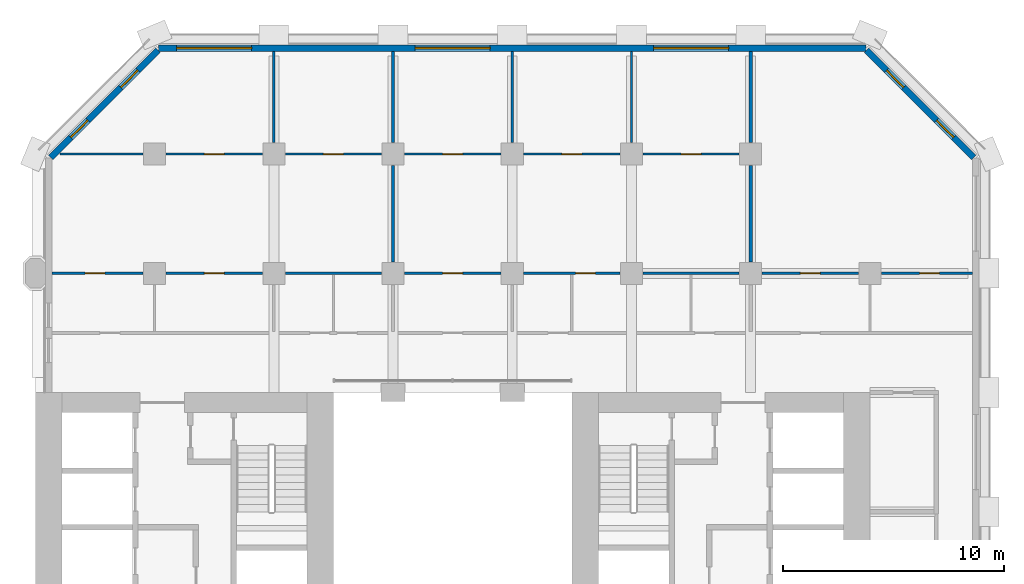
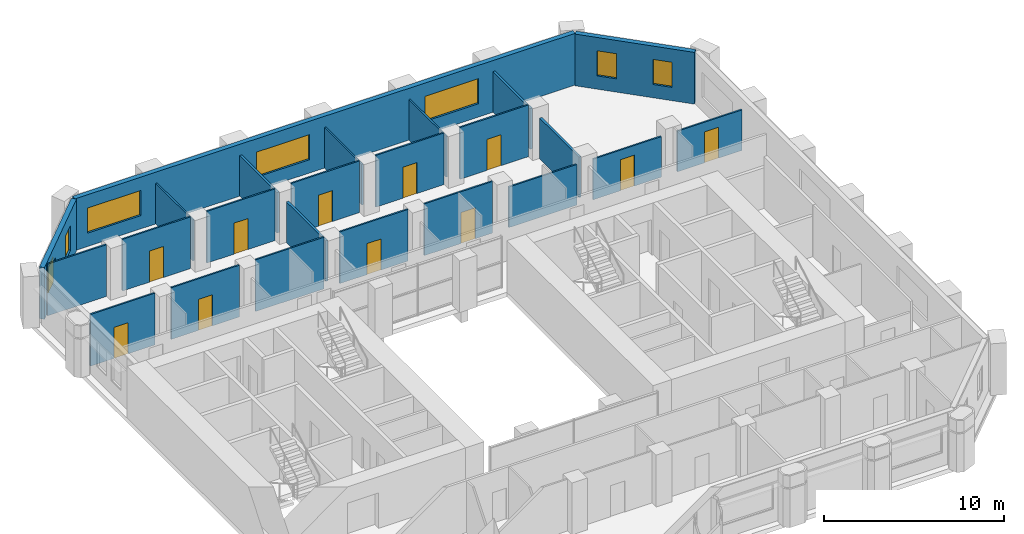
# One storey, part 7 of 11: 24 walls, 11 doors, 7 windows, 18 openings.
"""IFC4 building model written with IfcOpenShell, lengths in metres."""

import ifcopenshell
import ifcopenshell.guid

model = None  # the IFC model being written
_history = None  # IfcOwnerHistory: only IFC2X3 demands one
_inside = {}  # id of a spatial element -> (the spatial element, [elements in it])
_under = {}  # id of a project, library or spatial element -> (it, [spatial elements below it])
_declared = {}  # id of a project -> (the project, [libraries it declares])
_typed = {}  # id of a type object -> (the type object, [elements of that type])
_made_of = {}  # id of a material, layer set ... -> (it, [elements and type objects made of it])


def new_model(schema):
    """Start an empty IFC model of exactly this schema.

    Asked for "IFC4X3", IfcOpenShell would pick the latest addendum, in which some entities
    have other attributes; the version numbers below select the first issue.
    IFC2X3 requires an IfcOwnerHistory on every rooted entity: one is made here for all.
    """
    global model, _history
    if schema == "IFC4X3":
        model = ifcopenshell.file(schema_version=(4, 3, 0, 0))
    else:
        model = ifcopenshell.file(schema=schema)
    _inside.clear()
    _under.clear()
    _declared.clear()
    _typed.clear()
    _made_of.clear()
    _history = None
    if model.schema == "IFC2X3":
        org = make("IfcOrganization", Name="unknown")
        user = make(
            "IfcPersonAndOrganization",
            ThePerson=make("IfcPerson", FamilyName="unknown"),
            TheOrganization=org,
        )
        app = make(
            "IfcApplication",
            ApplicationDeveloper=org,
            Version="unknown",
            ApplicationFullName="unknown",
            ApplicationIdentifier="unknown",
        )
        _history = make(
            "IfcOwnerHistory",
            OwningUser=user,
            OwningApplication=app,
            ChangeAction="ADDED",
            CreationDate=0,
        )
    return model


def make(cls, **values):
    """One entity of the class cls with the attributes given. An attribute that is None is left unset."""
    return model.create_entity(
        cls, **{name: value for name, value in values.items() if value is not None}
    )


def rooted(cls, **values):
    """An entity with a GlobalId (a new one), such as an element, a storey or a relation."""
    return make(cls, GlobalId=ifcopenshell.guid.new(), OwnerHistory=_history, **values)


def si_unit(unit_type, name, prefix=None):
    """IfcSIUnit, for example si_unit("LENGTHUNIT", "METRE", prefix="MILLI")."""
    return make("IfcSIUnit", UnitType=unit_type, Prefix=prefix, Name=name)


def assignment(units):
    """IfcUnitAssignment: the units of a project."""
    return None if units is None else make("IfcUnitAssignment", Units=units)


def point(xyz):
    """IfcCartesianPoint."""
    return None if xyz is None else make("IfcCartesianPoint", Coordinates=xyz)


def direction(xyz):
    """IfcDirection."""
    return None if xyz is None else make("IfcDirection", DirectionRatios=xyz)


def frame(location, z_axis=None, x_axis=None):
    """IfcAxis2Placement3D, a coordinate frame: its origin and axes. An axis left out is left unset."""
    return make(
        "IfcAxis2Placement3D",
        Location=point(location),
        Axis=direction(z_axis),
        RefDirection=direction(x_axis),
    )


def frame_2d(location, x_axis=None):
    """IfcAxis2Placement2D, a coordinate frame in the plane: its origin and x axis."""
    return make(
        "IfcAxis2Placement2D", Location=point(location), RefDirection=direction(x_axis)
    )


def origin():
    """The frame at (0, 0, 0) with its axes left unset."""
    return frame((0.0, 0.0, 0.0))


def place(relative_to, where):
    """IfcLocalPlacement: puts the frame where relative to a parent placement (None: the world)."""
    return make(
        "IfcLocalPlacement", PlacementRelTo=relative_to, RelativePlacement=where
    )


def context(
    kind, dimensions, precision=None, world=None, true_north=None, identifier=None
):
    """IfcGeometricRepresentationContext, for example the 3D "Model" context."""
    return make(
        "IfcGeometricRepresentationContext",
        ContextIdentifier=identifier,
        ContextType=kind,
        CoordinateSpaceDimension=dimensions,
        Precision=precision,
        WorldCoordinateSystem=world,
        TrueNorth=true_north,
    )


def subcontext(parent, identifier, kind, view, scale=None):
    """IfcGeometricRepresentationSubContext, for example "Body" below "Model"."""
    return make(
        "IfcGeometricRepresentationSubContext",
        ContextIdentifier=identifier,
        ContextType=kind,
        ParentContext=parent,
        TargetScale=scale,
        TargetView=view,
    )


def project(units=None, contexts=None):
    """IfcProject with its units and contexts."""
    return rooted(
        "IfcProject",
        Name="project",
        RepresentationContexts=contexts,
        UnitsInContext=assignment(units),
    )


def spatial(cls, under=None, at=None, **own):
    """A site, building, storey or space (cls), placed at a placement, below another one or the project."""
    s = rooted(cls, ObjectPlacement=at, **own)
    if under is not None:
        _under.setdefault(under.id(), (under, []))[1].append(s)
    return s


def profile(cls, at=None, kind="AREA", **sizes):
    """A parametric profile (cls). Its sizes go by their IFC names, for example OverallWidth=200.0."""
    return make(cls, ProfileType=kind, Position=at, **sizes)


def rectangle(**sizes):
    """IfcRectangleProfileDef."""
    return profile("IfcRectangleProfileDef", **sizes)


def extrude(swept, where, along, depth):
    """IfcExtrudedAreaSolid: the profile swept, set in the frame where, extruded along a direction by depth."""
    return make(
        "IfcExtrudedAreaSolid",
        SweptArea=swept,
        Position=where,
        ExtrudedDirection=direction(along),
        Depth=depth,
    )


def shape(context_of_items, identifier, shape_type, items):
    """IfcShapeRepresentation: the items that make up one representation, for example the "Body"."""
    return make(
        "IfcShapeRepresentation",
        ContextOfItems=context_of_items,
        RepresentationIdentifier=identifier,
        RepresentationType=shape_type,
        Items=items,
    )


def material(Name=None, Category=None):
    """IfcMaterial."""
    return make("IfcMaterial", Name=Name, Category=Category)


def layer(
    of_material, thickness, ventilated=None, Name=None, Category=None, Priority=None
):
    """IfcMaterialLayer: one layer of a wall or slab, of a material (None: an air gap)."""
    return make(
        "IfcMaterialLayer",
        Material=of_material,
        LayerThickness=thickness,
        IsVentilated=ventilated,
        Name=Name,
        Category=Category,
        Priority=Priority,
    )


def layer_set(layers, Name=None):
    """IfcMaterialLayerSet."""
    return make("IfcMaterialLayerSet", MaterialLayers=layers, LayerSetName=Name)


def made_of(thing, what):
    """Note that an element or type object is made of a material, layer set ...; save() writes the relation."""
    if what is not None:
        _made_of.setdefault(what.id(), (what, []))[1].append(thing)
    return thing


def type_object(cls, material=None, **own):
    """A type object (cls), such as IfcWallType, which elements share."""
    return made_of(rooted(cls, **own), material)


def element(
    cls,
    number,
    at=None,
    inside=None,
    cuts=None,
    type_object=None,
    material=None,
    context=None,
    identifier="Body",
    shape_type=None,
    held_by="IfcProductDefinitionShape",
    body=None,
    shapes=None,
    **own,
):
    """One element of the class cls, such as IfcWall. Its Tag is "e" and its number.

    at: its placement. inside: the storey or other place that contains it. cuts: it is an
    opening in that element (IfcRelVoidsElement). A single representation is given by context,
    identifier, shape_type and body (its items); several are given by shapes. held_by: the class
    of the entity that holds the representations. save() writes the other relations.
    """
    e = rooted(cls, Tag="e%d" % number, ObjectPlacement=at, **own)
    if body is not None:
        shapes = [shape(context, identifier, shape_type, body)]
    if shapes is not None:
        e.Representation = make(held_by, Representations=shapes)
    if inside is not None:
        _inside.setdefault(inside.id(), (inside, []))[1].append(e)
    if cuts is not None:
        rooted(
            "IfcRelVoidsElement", RelatingBuildingElement=cuts, RelatedOpeningElement=e
        )
    if type_object is not None:
        _typed.setdefault(type_object.id(), (type_object, []))[1].append(e)
    return made_of(e, material)


def fill(opening, filler):
    """IfcRelFillsElement: the door or window that sits in an opening."""
    return rooted(
        "IfcRelFillsElement",
        RelatingOpeningElement=opening,
        RelatedBuildingElement=filler,
    )


def aggregate(whole, parts):
    """IfcRelAggregates: a whole, such as a stair, and the parts it consists of."""
    return rooted("IfcRelAggregates", RelatingObject=whole, RelatedObjects=parts)


def save(model, path):
    """Write the relations noted so far, then the file.

    IfcRelAggregates (storeys below a building ...), IfcRelContainedInSpatialStructure (elements
    in a storey), IfcRelDefinesByType, IfcRelAssociatesMaterial and IfcRelDeclares: one each for
    every whole, place, type object, material and project.
    """
    for whole, parts in _under.values():
        aggregate(whole, parts)
    for where, things in _inside.values():
        rooted(
            "IfcRelContainedInSpatialStructure",
            RelatedElements=things,
            RelatingStructure=where,
        )
    for kind, things in _typed.values():
        rooted("IfcRelDefinesByType", RelatedObjects=things, RelatingType=kind)
    for what, things in _made_of.values():
        rooted("IfcRelAssociatesMaterial", RelatedObjects=things, RelatingMaterial=what)
    for by, libraries in _declared.values():
        rooted("IfcRelDeclares", RelatingContext=by, RelatedDefinitions=libraries)
    model.write(path)


model = new_model("IFC4")

# Units and contexts
model_context = context("Model", 3, precision=1e-05, world=origin(), true_north=direction((0.0, 1.0)))
body_context = subcontext(model_context, "Body", "Model", "MODEL_VIEW")
ifc_project = project(units=[si_unit("LENGTHUNIT", "METRE"), si_unit("AREAUNIT", "SQUARE_METRE"), si_unit("VOLUMEUNIT", "CUBIC_METRE"), si_unit("PLANEANGLEUNIT", "RADIAN"), si_unit("MASSUNIT", "GRAM", prefix="KILO")], contexts=[model_context])

# Site, building, storey
site_placement = place(None, origin())
site = spatial("IfcSite", under=ifc_project, at=site_placement, CompositionType="ELEMENT")
building_placement = place(site_placement, origin())
building = spatial("IfcBuilding", under=site, at=building_placement, Name="Tabaq Tower and Sports Hall", CompositionType="ELEMENT")
storey_placement = place(building_placement, frame((0.0, 0.0, 84.0)))
storey = spatial("IfcBuildingStorey", under=building, at=storey_placement, Name="L19", CompositionType="ELEMENT", Elevation=84.0)

# Wall, opening, door
ifc_material_1 = material(Name="Gypsum board on steel studs", Category="steel")
ifc_layer_1 = layer(ifc_material_1, 0.10009765625)
ifc_layer_set_1 = layer_set([ifc_layer_1], Name="Partition 100 Gypsum board")
wall_type_1 = type_object("IfcWallType", Name="Partition 100 Gypsum board", PredefinedType="PARTITIONING", material=ifc_layer_set_1)
wall_1_placement = place(storey_placement, frame((10.280029296875, 37.800048828125, 0.0), z_axis=(0.0, 0.0, 1.0), x_axis=(-1.0, 0.0, 0.0)))
wall_1 = element("IfcWall", 1, at=wall_1_placement, inside=storey, type_object=wall_type_1, Name="Partition wall L19", PredefinedType="PARTITIONING", context=body_context, shape_type="SweptSolid", body=[
    extrude(rectangle(XDim=4.129150390625, YDim=0.10009765625, at=frame_2d((2.064453125, 0.0))), origin(), (0.0, 0.0, 1.0), 3.5),
])
opening_1_placement = place(wall_1_placement, frame((1.72998046875, 0.0, 0.0)))
opening_1 = element("IfcOpeningElement", 2, at=opening_1_placement, cuts=wall_1, Name="Opening L19-029", PredefinedType="OPENING", context=body_context, shape_type="SweptSolid", body=[
    extrude(rectangle(XDim=0.89990234375, YDim=2.10009765625, at=frame_2d((0.449951171875, 1.050048828125))), frame((0.0, 0.050048828125, 0.0), z_axis=(0.0, -1.0, 0.0), x_axis=(1.0, 0.0, 0.0)), (0.0, 0.0, 1.0), 0.10009765625),
])
ifc_material_2 = material(Name="Timber leaf in steel frame", Category="steel")
door_type_1 = type_object("IfcDoorType", Name="Internal door 900 right hand", OperationType="SINGLE_SWING_RIGHT", PredefinedType="DOOR", material=ifc_material_2)
door_1_placement = place(opening_1_placement, origin())
door_1 = element("IfcDoor", 3, at=door_1_placement, inside=storey, type_object=door_type_1, Name="Internal door L19-029", OperationType="SINGLE_SWING_RIGHT", OverallHeight=2.10009765625, OverallWidth=0.89990234375, PredefinedType="DOOR", context=body_context, shape_type="SweptSolid", body=[
    extrude(rectangle(XDim=0.89990234375, YDim=2.10009765625, at=frame_2d((0.449951171875, 1.050048828125))), frame((0.0, 0.02490234375, 0.0), z_axis=(0.0, -1.0, 0.0), x_axis=(1.0, 0.0, 0.0)), (0.0, 0.0, 1.0), 0.050048828125),
])
fill(opening_1, door_1)

wall_2_placement = place(storey_placement, frame((15.679931640625, 37.800048828125, 0.0), z_axis=(0.0, 0.0, 1.0), x_axis=(-1.0, 0.0, 0.0)))
wall_2 = element("IfcWall", 4, at=wall_2_placement, inside=storey, type_object=wall_type_1, Name="Partition wall L19", PredefinedType="PARTITIONING", context=body_context, shape_type="SweptSolid", body=[
    extrude(rectangle(XDim=4.35986328125, YDim=0.10009765625, at=frame_2d((2.179931640625, 0.0))), origin(), (0.0, 0.0, 1.0), 3.5),
])
opening_2_placement = place(wall_2_placement, frame((1.72998046875, 0.0, 0.0)))
opening_2 = element("IfcOpeningElement", 5, at=opening_2_placement, cuts=wall_2, Name="Opening L19-012", PredefinedType="OPENING", context=body_context, shape_type="SweptSolid", body=[
    extrude(rectangle(XDim=0.89990234375, YDim=2.10009765625, at=frame_2d((0.449951171875, 1.050048828125))), frame((0.0, 0.050048828125, 0.0), z_axis=(0.0, -1.0, 0.0), x_axis=(1.0, 0.0, 0.0)), (0.0, 0.0, 1.0), 0.10009765625),
])
ifc_material_3 = material(Name="Timber leaf in steel frame", Category="steel")
door_type_2 = type_object("IfcDoorType", Name="Internal door 900 left hand", OperationType="SINGLE_SWING_LEFT", PredefinedType="DOOR", material=ifc_material_3)
door_2_placement = place(opening_2_placement, origin())
door_2 = element("IfcDoor", 6, at=door_2_placement, inside=storey, type_object=door_type_2, Name="Internal door L19-012", OperationType="SINGLE_SWING_LEFT", OverallHeight=2.10009765625, OverallWidth=0.89990234375, PredefinedType="DOOR", context=body_context, shape_type="SweptSolid", body=[
    extrude(rectangle(XDim=0.89990234375, YDim=2.10009765625, at=frame_2d((0.449951171875, 1.050048828125))), frame((0.0, 0.02490234375, 0.0), z_axis=(0.0, -1.0, 0.0), x_axis=(1.0, 0.0, 0.0)), (0.0, 0.0, 1.0), 0.050048828125),
])
fill(opening_2, door_2)

# Wall
wall_3_placement = place(storey_placement, frame((21.080078125, 37.800048828125, 0.0), z_axis=(0.0, 0.0, 1.0), x_axis=(-1.0, 0.0, 0.0)))
element("IfcWall", 7, at=wall_3_placement, inside=storey, type_object=wall_type_1, Name="Partition wall L19", PredefinedType="PARTITIONING", context=body_context, shape_type="SweptSolid", body=[
    extrude(rectangle(XDim=4.360107421875, YDim=0.10009765625, at=frame_2d((2.18017578125, 0.0))), origin(), (0.0, 0.0, 1.0), 3.5),
])

# Wall, opening, door
wall_4_placement = place(storey_placement, frame((21.080078125, 43.199951171875, 0.0), z_axis=(0.0, 0.0, 1.0), x_axis=(-1.0, 0.0, 0.0)))
wall_4 = element("IfcWall", 8, at=wall_4_placement, inside=storey, type_object=wall_type_1, Name="Partition wall L19", PredefinedType="PARTITIONING", context=body_context, shape_type="SweptSolid", body=[
    extrude(rectangle(XDim=4.360107421875, YDim=0.10009765625, at=frame_2d((2.18017578125, 0.0))), origin(), (0.0, 0.0, 1.0), 3.5),
])
opening_3_placement = place(wall_4_placement, frame((1.72998046875, 0.0, 0.0)))
opening_3 = element("IfcOpeningElement", 9, at=opening_3_placement, cuts=wall_4, Name="Opening L19-014", PredefinedType="OPENING", context=body_context, shape_type="SweptSolid", body=[
    extrude(rectangle(XDim=0.89990234375, YDim=2.10009765625, at=frame_2d((0.449951171875, 1.050048828125))), frame((0.0, 0.050048828125, 0.0), z_axis=(0.0, -1.0, 0.0), x_axis=(1.0, 0.0, 0.0)), (0.0, 0.0, 1.0), 0.10009765625),
])
door_3_placement = place(opening_3_placement, origin())
door_3 = element("IfcDoor", 10, at=door_3_placement, inside=storey, type_object=door_type_2, Name="Internal door L19-014", OperationType="SINGLE_SWING_LEFT", OverallHeight=2.10009765625, OverallWidth=0.89990234375, PredefinedType="DOOR", context=body_context, shape_type="SweptSolid", body=[
    extrude(rectangle(XDim=0.89990234375, YDim=2.10009765625, at=frame_2d((0.449951171875, 1.050048828125))), frame((0.0, 0.02490234375, 0.0), z_axis=(0.0, -1.0, 0.0), x_axis=(1.0, 0.0, 0.0)), (0.0, 0.0, 1.0), 0.050048828125),
])
fill(opening_3, door_3)

wall_5_placement = place(storey_placement, frame((15.679931640625, 43.199951171875, 0.0), z_axis=(0.0, 0.0, 1.0), x_axis=(-1.0, 0.0, 0.0)))
wall_5 = element("IfcWall", 11, at=wall_5_placement, inside=storey, type_object=wall_type_1, Name="Partition wall L19", PredefinedType="PARTITIONING", context=body_context, shape_type="SweptSolid", body=[
    extrude(rectangle(XDim=4.35986328125, YDim=0.10009765625, at=frame_2d((2.179931640625, 0.0))), origin(), (0.0, 0.0, 1.0), 3.5),
])
opening_4_placement = place(wall_5_placement, frame((1.72998046875, 0.0, 0.0)))
opening_4 = element("IfcOpeningElement", 12, at=opening_4_placement, cuts=wall_5, Name="Opening L19-013", PredefinedType="OPENING", context=body_context, shape_type="SweptSolid", body=[
    extrude(rectangle(XDim=0.89990234375, YDim=2.10009765625, at=frame_2d((0.449951171875, 1.050048828125))), frame((0.0, 0.050048828125, 0.0), z_axis=(0.0, -1.0, 0.0), x_axis=(1.0, 0.0, 0.0)), (0.0, 0.0, 1.0), 0.10009765625),
])
door_4_placement = place(opening_4_placement, origin())
door_4 = element("IfcDoor", 13, at=door_4_placement, inside=storey, type_object=door_type_2, Name="Internal door L19-013", OperationType="SINGLE_SWING_LEFT", OverallHeight=2.10009765625, OverallWidth=0.89990234375, PredefinedType="DOOR", context=body_context, shape_type="SweptSolid", body=[
    extrude(rectangle(XDim=0.89990234375, YDim=2.10009765625, at=frame_2d((0.449951171875, 1.050048828125))), frame((0.0, 0.02490234375, 0.0), z_axis=(0.0, -1.0, 0.0), x_axis=(1.0, 0.0, 0.0)), (0.0, 0.0, 1.0), 0.050048828125),
])
fill(opening_4, door_4)

# Walls
wall_6_placement = place(storey_placement, frame((10.280029296875, 43.199951171875, 0.0), z_axis=(0.0, 0.0, 1.0), x_axis=(-1.0, 0.0, 0.0)))
element("IfcWall", 14, at=wall_6_placement, inside=storey, type_object=wall_type_1, Name="Partition wall L19", PredefinedType="PARTITIONING", context=body_context, shape_type="SweptSolid", body=[
    extrude(rectangle(XDim=3.767822265625, YDim=0.10009765625, at=frame_2d((1.8837890625, 0.0))), origin(), (0.0, 0.0, 1.0), 3.5),
])
wall_7_placement = place(storey_placement, frame((16.199951171875, 43.719970703125, 0.0), z_axis=(0.0, 0.0, 1.0), x_axis=(0.0, 1.0, 0.0)))
element("IfcWall", 15, at=wall_7_placement, inside=storey, type_object=wall_type_1, Name="Partition wall L19", PredefinedType="PARTITIONING", context=body_context, shape_type="SweptSolid", body=[
    extrude(rectangle(XDim=4.129150390625, YDim=0.10009765625, at=frame_2d((2.064453125, 0.0))), origin(), (0.0, 0.0, 1.0), 2.75),
])

# Wall, opening, door
wall_8_placement = place(storey_placement, frame((26.47998046875, 37.800048828125, 0.0), z_axis=(0.0, 0.0, 1.0), x_axis=(-1.0, 0.0, 0.0)))
wall_8 = element("IfcWall", 16, at=wall_8_placement, inside=storey, type_object=wall_type_1, Name="Partition wall L19", PredefinedType="PARTITIONING", context=body_context, shape_type="SweptSolid", body=[
    extrude(rectangle(XDim=4.35986328125, YDim=0.10009765625, at=frame_2d((2.179931640625, 0.0))), origin(), (0.0, 0.0, 1.0), 3.5),
])
opening_5_placement = place(wall_8_placement, frame((1.72998046875, 0.0, 0.0)))
opening_5 = element("IfcOpeningElement", 17, at=opening_5_placement, cuts=wall_8, Name="Opening L19-030", PredefinedType="OPENING", context=body_context, shape_type="SweptSolid", body=[
    extrude(rectangle(XDim=0.89990234375, YDim=2.10009765625, at=frame_2d((0.449951171875, 1.050048828125))), frame((0.0, 0.050048828125, 0.0), z_axis=(0.0, -1.0, 0.0), x_axis=(1.0, 0.0, 0.0)), (0.0, 0.0, 1.0), 0.10009765625),
])
door_5_placement = place(opening_5_placement, origin())
door_5 = element("IfcDoor", 18, at=door_5_placement, inside=storey, type_object=door_type_2, Name="Internal door L19-030", OperationType="SINGLE_SWING_LEFT", OverallHeight=2.10009765625, OverallWidth=0.89990234375, PredefinedType="DOOR", context=body_context, shape_type="SweptSolid", body=[
    extrude(rectangle(XDim=0.89990234375, YDim=2.10009765625, at=frame_2d((0.449951171875, 1.050048828125))), frame((0.0, 0.02490234375, 0.0), z_axis=(0.0, -1.0, 0.0), x_axis=(1.0, 0.0, 0.0)), (0.0, 0.0, 1.0), 0.050048828125),
])
fill(opening_5, door_5)

wall_9_placement = place(storey_placement, frame((31.8798828125, 37.800048828125, 0.0), z_axis=(0.0, 0.0, 1.0), x_axis=(-1.0, 0.0, 0.0)))
wall_9 = element("IfcWall", 19, at=wall_9_placement, inside=storey, type_object=wall_type_1, Name="Partition wall L19", PredefinedType="PARTITIONING", context=body_context, shape_type="SweptSolid", body=[
    extrude(rectangle(XDim=4.35986328125, YDim=0.10009765625, at=frame_2d((2.179931640625, 0.0))), origin(), (0.0, 0.0, 1.0), 3.5),
])
opening_6_placement = place(wall_9_placement, frame((1.110107421875, 0.0, 0.0)))
opening_6 = element("IfcOpeningElement", 20, at=opening_6_placement, cuts=wall_9, Name="Opening L19-015", PredefinedType="OPENING", context=body_context, shape_type="SweptSolid", body=[
    extrude(rectangle(XDim=0.89990234375, YDim=2.10009765625, at=frame_2d((0.449951171875, 1.050048828125))), frame((0.0, 0.050048828125, 0.0), z_axis=(0.0, -1.0, 0.0), x_axis=(1.0, 0.0, 0.0)), (0.0, 0.0, 1.0), 0.10009765625),
])
door_6_placement = place(opening_6_placement, origin())
door_6 = element("IfcDoor", 21, at=door_6_placement, inside=storey, type_object=door_type_1, Name="Internal door L19-015", OperationType="SINGLE_SWING_RIGHT", OverallHeight=2.10009765625, OverallWidth=0.89990234375, PredefinedType="DOOR", context=body_context, shape_type="SweptSolid", body=[
    extrude(rectangle(XDim=0.89990234375, YDim=2.10009765625, at=frame_2d((0.449951171875, 1.050048828125))), frame((0.0, 0.02490234375, 0.0), z_axis=(0.0, -1.0, 0.0), x_axis=(1.0, 0.0, 0.0)), (0.0, 0.0, 1.0), 0.050048828125),
])
fill(opening_6, door_6)

# Wall
wall_10_placement = place(storey_placement, frame((37.280029296875, 37.800048828125, 0.0), z_axis=(0.0, 0.0, 1.0), x_axis=(-1.0, 0.0, 0.0)))
element("IfcWall", 22, at=wall_10_placement, inside=storey, type_object=wall_type_1, Name="Partition wall L19", PredefinedType="PARTITIONING", context=body_context, shape_type="SweptSolid", body=[
    extrude(rectangle(XDim=4.360107421875, YDim=0.10009765625, at=frame_2d((2.18017578125, 0.0))), origin(), (0.0, 0.0, 1.0), 2.75),
])

# Wall, opening, door
wall_11_placement = place(storey_placement, frame((37.280029296875, 43.199951171875, 0.0), z_axis=(0.0, 0.0, 1.0), x_axis=(-1.0, 0.0, 0.0)))
wall_11 = element("IfcWall", 23, at=wall_11_placement, inside=storey, type_object=wall_type_1, Name="Partition wall L19", PredefinedType="PARTITIONING", context=body_context, shape_type="SweptSolid", body=[
    extrude(rectangle(XDim=4.360107421875, YDim=0.10009765625, at=frame_2d((2.18017578125, 0.0))), origin(), (0.0, 0.0, 1.0), 3.5),
])
opening_7_placement = place(wall_11_placement, frame((1.72998046875, 0.0, 0.0)))
opening_7 = element("IfcOpeningElement", 24, at=opening_7_placement, cuts=wall_11, Name="Opening L19-018", PredefinedType="OPENING", context=body_context, shape_type="SweptSolid", body=[
    extrude(rectangle(XDim=0.89990234375, YDim=2.10009765625, at=frame_2d((0.449951171875, 1.050048828125))), frame((0.0, 0.050048828125, 0.0), z_axis=(0.0, -1.0, 0.0), x_axis=(1.0, 0.0, 0.0)), (0.0, 0.0, 1.0), 0.10009765625),
])
door_7_placement = place(opening_7_placement, origin())
door_7 = element("IfcDoor", 25, at=door_7_placement, inside=storey, type_object=door_type_1, Name="Internal door L19-018", OperationType="SINGLE_SWING_RIGHT", OverallHeight=2.10009765625, OverallWidth=0.89990234375, PredefinedType="DOOR", context=body_context, shape_type="SweptSolid", body=[
    extrude(rectangle(XDim=0.89990234375, YDim=2.10009765625, at=frame_2d((0.449951171875, 1.050048828125))), frame((0.0, 0.02490234375, 0.0), z_axis=(0.0, -1.0, 0.0), x_axis=(1.0, 0.0, 0.0)), (0.0, 0.0, 1.0), 0.050048828125),
])
fill(opening_7, door_7)

wall_12_placement = place(storey_placement, frame((31.8798828125, 43.199951171875, 0.0), z_axis=(0.0, 0.0, 1.0), x_axis=(-1.0, 0.0, 0.0)))
wall_12 = element("IfcWall", 26, at=wall_12_placement, inside=storey, type_object=wall_type_1, Name="Partition wall L19", PredefinedType="PARTITIONING", context=body_context, shape_type="SweptSolid", body=[
    extrude(rectangle(XDim=4.35986328125, YDim=0.10009765625, at=frame_2d((2.179931640625, 0.0))), origin(), (0.0, 0.0, 1.0), 3.5),
])
opening_8_placement = place(wall_12_placement, frame((1.72998046875, 0.0, 0.0)))
opening_8 = element("IfcOpeningElement", 27, at=opening_8_placement, cuts=wall_12, Name="Opening L19-017", PredefinedType="OPENING", context=body_context, shape_type="SweptSolid", body=[
    extrude(rectangle(XDim=0.89990234375, YDim=2.10009765625, at=frame_2d((0.449951171875, 1.050048828125))), frame((0.0, 0.050048828125, 0.0), z_axis=(0.0, -1.0, 0.0), x_axis=(1.0, 0.0, 0.0)), (0.0, 0.0, 1.0), 0.10009765625),
])
door_8_placement = place(opening_8_placement, origin())
door_8 = element("IfcDoor", 28, at=door_8_placement, inside=storey, type_object=door_type_1, Name="Internal door L19-017", OperationType="SINGLE_SWING_RIGHT", OverallHeight=2.10009765625, OverallWidth=0.89990234375, PredefinedType="DOOR", context=body_context, shape_type="SweptSolid", body=[
    extrude(rectangle(XDim=0.89990234375, YDim=2.10009765625, at=frame_2d((0.449951171875, 1.050048828125))), frame((0.0, 0.02490234375, 0.0), z_axis=(0.0, -1.0, 0.0), x_axis=(1.0, 0.0, 0.0)), (0.0, 0.0, 1.0), 0.050048828125),
])
fill(opening_8, door_8)

wall_13_placement = place(storey_placement, frame((26.47998046875, 43.199951171875, 0.0), z_axis=(0.0, 0.0, 1.0), x_axis=(-1.0, 0.0, 0.0)))
wall_13 = element("IfcWall", 29, at=wall_13_placement, inside=storey, type_object=wall_type_1, Name="Partition wall L19", PredefinedType="PARTITIONING", context=body_context, shape_type="SweptSolid", body=[
    extrude(rectangle(XDim=4.35986328125, YDim=0.10009765625, at=frame_2d((2.179931640625, 0.0))), origin(), (0.0, 0.0, 1.0), 3.5),
])
opening_9_placement = place(wall_13_placement, frame((1.72998046875, 0.0, 0.0)))
opening_9 = element("IfcOpeningElement", 30, at=opening_9_placement, cuts=wall_13, Name="Opening L19-016", PredefinedType="OPENING", context=body_context, shape_type="SweptSolid", body=[
    extrude(rectangle(XDim=0.89990234375, YDim=2.10009765625, at=frame_2d((0.449951171875, 1.050048828125))), frame((0.0, 0.050048828125, 0.0), z_axis=(0.0, -1.0, 0.0), x_axis=(1.0, 0.0, 0.0)), (0.0, 0.0, 1.0), 0.10009765625),
])
door_9_placement = place(opening_9_placement, origin())
door_9 = element("IfcDoor", 31, at=door_9_placement, inside=storey, type_object=door_type_1, Name="Internal door L19-016", OperationType="SINGLE_SWING_RIGHT", OverallHeight=2.10009765625, OverallWidth=0.89990234375, PredefinedType="DOOR", context=body_context, shape_type="SweptSolid", body=[
    extrude(rectangle(XDim=0.89990234375, YDim=2.10009765625, at=frame_2d((0.449951171875, 1.050048828125))), frame((0.0, 0.02490234375, 0.0), z_axis=(0.0, -1.0, 0.0), x_axis=(1.0, 0.0, 0.0)), (0.0, 0.0, 1.0), 0.050048828125),
])
fill(opening_9, door_9)

# Walls
for number, where, z_axis, x_axis, name in (
    (32, (27.0, 43.719970703125, 0.0), (0.0, 0.0, 1.0), (0.0, 1.0, 0.0), "Partition wall L19"),
    (33, (32.39990234375, 43.719970703125, 0.0), (0.0, 0.0, 1.0), (0.0, 1.0, 0.0), "Partition wall L19"),
):
    element("IfcWall", number, at=place(storey_placement, frame(where, z_axis=z_axis, x_axis=x_axis)), inside=storey, type_object=wall_type_1, Name=name, PredefinedType="PARTITIONING", context=body_context, shape_type="SweptSolid", body=[
        extrude(rectangle(XDim=4.129150390625, YDim=0.10009765625, at=frame_2d((2.064453125, 0.0))), origin(), (0.0, 0.0, 1.0), 2.75),
    ])

# Wall, opening, door
wall_14_placement = place(storey_placement, frame((42.679931640625, 37.800048828125, 0.0), z_axis=(0.0, 0.0, 1.0), x_axis=(-1.0, 0.0, 0.0)))
wall_14 = element("IfcWall", 34, at=wall_14_placement, inside=storey, type_object=wall_type_1, Name="Partition wall L19", PredefinedType="PARTITIONING", context=body_context, shape_type="SweptSolid", body=[
    extrude(rectangle(XDim=4.35986328125, YDim=0.10009765625, at=frame_2d((2.179931640625, 0.0))), origin(), (0.0, 0.0, 1.0), 2.75),
])
opening_10_placement = place(wall_14_placement, frame((1.72998046875, 0.0, 0.0)))
opening_10 = element("IfcOpeningElement", 35, at=opening_10_placement, cuts=wall_14, Name="Opening L19-031", PredefinedType="OPENING", context=body_context, shape_type="SweptSolid", body=[
    extrude(rectangle(XDim=0.89990234375, YDim=2.10009765625, at=frame_2d((0.449951171875, 1.050048828125))), frame((0.0, 0.050048828125, 0.0), z_axis=(0.0, -1.0, 0.0), x_axis=(1.0, 0.0, 0.0)), (0.0, 0.0, 1.0), 0.10009765625),
])
door_10_placement = place(opening_10_placement, origin())
door_10 = element("IfcDoor", 36, at=door_10_placement, inside=storey, type_object=door_type_1, Name="Internal door L19-031", OperationType="SINGLE_SWING_RIGHT", OverallHeight=2.10009765625, OverallWidth=0.89990234375, PredefinedType="DOOR", context=body_context, shape_type="SweptSolid", body=[
    extrude(rectangle(XDim=0.89990234375, YDim=2.10009765625, at=frame_2d((0.449951171875, 1.050048828125))), frame((0.0, 0.02490234375, 0.0), z_axis=(0.0, -1.0, 0.0), x_axis=(1.0, 0.0, 0.0)), (0.0, 0.0, 1.0), 0.050048828125),
])
fill(opening_10, door_10)

wall_15_placement = place(storey_placement, frame((47.84912109375, 37.800048828125, 0.0), z_axis=(0.0, 0.0, 1.0), x_axis=(-1.0, 0.0, 0.0)))
wall_15 = element("IfcWall", 37, at=wall_15_placement, inside=storey, type_object=wall_type_1, Name="Partition wall L19", PredefinedType="PARTITIONING", context=body_context, shape_type="SweptSolid", body=[
    extrude(rectangle(XDim=4.129150390625, YDim=0.10009765625, at=frame_2d((2.064453125, 0.0))), origin(), (0.0, 0.0, 1.0), 2.75),
])
opening_11_placement = place(wall_15_placement, frame((1.4990234375, 0.0, 0.0)))
opening_11 = element("IfcOpeningElement", 38, at=opening_11_placement, cuts=wall_15, Name="Opening L19-019", PredefinedType="OPENING", context=body_context, shape_type="SweptSolid", body=[
    extrude(rectangle(XDim=0.89990234375, YDim=2.10009765625, at=frame_2d((0.449951171875, 1.050048828125))), frame((0.0, 0.050048828125, 0.0), z_axis=(0.0, -1.0, 0.0), x_axis=(1.0, 0.0, 0.0)), (0.0, 0.0, 1.0), 0.10009765625),
])
door_11_placement = place(opening_11_placement, origin())
door_11 = element("IfcDoor", 39, at=door_11_placement, inside=storey, type_object=door_type_2, Name="Internal door L19-019", OperationType="SINGLE_SWING_LEFT", OverallHeight=2.10009765625, OverallWidth=0.89990234375, PredefinedType="DOOR", context=body_context, shape_type="SweptSolid", body=[
    extrude(rectangle(XDim=0.89990234375, YDim=2.10009765625, at=frame_2d((0.449951171875, 1.050048828125))), frame((0.0, 0.02490234375, 0.0), z_axis=(0.0, -1.0, 0.0), x_axis=(1.0, 0.0, 0.0)), (0.0, 0.0, 1.0), 0.050048828125),
])
fill(opening_11, door_11)

# Walls
ifc_material_4 = material(Name="Blockwork", Category="masonry")
ifc_layer_2 = layer(ifc_material_4, 0.14990234375)
ifc_layer_set_2 = layer_set([ifc_layer_2], Name="Separating wall 150 Blockwork")
wall_type_2 = type_object("IfcWallType", Name="Separating wall 150 Blockwork", PredefinedType="PARTITIONING", material=ifc_layer_set_2)
wall_16_placement = place(storey_placement, frame((21.60009765625, 38.320068359375, 0.0), z_axis=(0.0, 0.0, 1.0), x_axis=(0.0, 1.0, 0.0)))
element("IfcWall", 40, at=wall_16_placement, inside=storey, type_object=wall_type_2, Name="Separating wall L19", PredefinedType="PARTITIONING", context=body_context, shape_type="SweptSolid", body=[
    extrude(rectangle(XDim=4.35986328125, YDim=0.14990234375, at=frame_2d((2.179931640625, 0.0))), origin(), (0.0, 0.0, 1.0), 2.75),
])
wall_17_placement = place(storey_placement, frame((21.60009765625, 43.719970703125, 0.0), z_axis=(0.0, 0.0, 1.0), x_axis=(0.0, 1.0, 0.0)))
element("IfcWall", 41, at=wall_17_placement, inside=storey, type_object=wall_type_2, Name="Separating wall L19", PredefinedType="PARTITIONING", context=body_context, shape_type="SweptSolid", body=[
    extrude(rectangle(XDim=4.129150390625, YDim=0.14990234375, at=frame_2d((2.064453125, 0.0))), origin(), (0.0, 0.0, 1.0), 2.75),
])
wall_18_placement = place(storey_placement, frame((37.800048828125, 38.320068359375, 0.0), z_axis=(0.0, 0.0, 1.0), x_axis=(0.0, 1.0, 0.0)))
element("IfcWall", 42, at=wall_18_placement, inside=storey, type_object=wall_type_2, Name="Separating wall L19", PredefinedType="PARTITIONING", context=body_context, shape_type="SweptSolid", body=[
    extrude(rectangle(XDim=4.35986328125, YDim=0.14990234375, at=frame_2d((2.179931640625, 0.0))), origin(), (0.0, 0.0, 1.0), 2.75),
])
wall_19_placement = place(storey_placement, frame((37.800048828125, 43.719970703125, 0.0), z_axis=(0.0, 0.0, 1.0), x_axis=(0.0, 1.0, 0.0)))
element("IfcWall", 43, at=wall_19_placement, inside=storey, type_object=wall_type_2, Name="Separating wall L19", PredefinedType="PARTITIONING", context=body_context, shape_type="SweptSolid", body=[
    extrude(rectangle(XDim=4.129150390625, YDim=0.14990234375, at=frame_2d((2.064453125, 0.0))), origin(), (0.0, 0.0, 1.0), 2.75),
])

# Wall, openings, windows
ifc_material_5 = material(Name="White precast concrete C60/75", Category="concrete")
ifc_layer_3 = layer(ifc_material_5, 0.300048828125)
ifc_layer_set_3 = layer_set([ifc_layer_3], Name="White precast concrete C60/75 external wall 300")
wall_type_3 = type_object("IfcWallType", Name="White precast concrete C60/75 external wall 300", PredefinedType="SOLIDWALL", material=ifc_layer_set_3)
wall_20_placement = place(storey_placement, frame((47.901123046875, 43.050537109375, 0.0), z_axis=(0.0, 0.0, 1.0), x_axis=(-0.707106781187, 0.707106781187, 0.0)))
wall_20 = element("IfcWall", 44, at=wall_20_placement, inside=storey, type_object=wall_type_3, Name="External Wall L19 NE", PredefinedType="SOLIDWALL", context=body_context, shape_type="SweptSolid", body=[
    extrude(rectangle(XDim=6.85986328125, YDim=0.300048828125, at=frame_2d((3.429931640625, 0.0))), origin(), (0.0, 0.0, 1.0), 3.5),
])
opening_12_placement = place(wall_20_placement, frame((1.27978515625, 0.0, 0.89990234375)))
opening_12 = element("IfcOpeningElement", 45, at=opening_12_placement, cuts=wall_20, Name="Opening W1B", PredefinedType="OPENING", context=body_context, shape_type="SweptSolid", body=[
    extrude(rectangle(XDim=1.10009765625, YDim=1.699951171875, at=frame_2d((0.550048828125, 0.85009765625))), frame((0.0, 0.16015625, 0.0), z_axis=(0.0, -1.0, 0.0), x_axis=(1.0, 0.0, 0.0)), (0.0, 0.0, 1.0), 0.320068359375),
])
opening_13_placement = place(wall_20_placement, frame((4.479736328125, 0.0, 0.89990234375)))
opening_13 = element("IfcOpeningElement", 46, at=opening_13_placement, cuts=wall_20, Name="Opening W1B", PredefinedType="OPENING", context=body_context, shape_type="SweptSolid", body=[
    extrude(rectangle(XDim=1.10009765625, YDim=1.699951171875, at=frame_2d((0.550048828125, 0.85009765625))), frame((0.0, 0.16015625, 0.0), z_axis=(0.0, -1.0, 0.0), x_axis=(1.0, 0.0, 0.0)), (0.0, 0.0, 1.0), 0.320068359375),
])
ifc_material_6 = material(Name="Aluminium framed clear glazing", Category="aluminium")
window_type_1 = type_object("IfcWindowType", Name="Window W1B", PartitioningType="SINGLE_PANEL", PredefinedType="WINDOW", material=ifc_material_6)
window_1_placement = place(opening_12_placement, origin())
window_1 = element("IfcWindow", 47, at=window_1_placement, inside=storey, type_object=window_type_1, Name="Window W1B L19", OverallHeight=1.699951171875, OverallWidth=1.10009765625, PartitioningType="SINGLE_PANEL", PredefinedType="WINDOW", context=body_context, shape_type="SweptSolid", body=[
    extrude(rectangle(XDim=1.10009765625, YDim=1.699951171875, at=frame_2d((0.550048828125, 0.85009765625))), frame((0.0, 0.030029296875, 0.0), z_axis=(0.0, -1.0, 0.0), x_axis=(1.0, 0.0, 0.0)), (0.0, 0.0, 1.0), 0.06005859375),
])
fill(opening_12, window_1)
window_2_placement = place(opening_13_placement, origin())
window_2 = element("IfcWindow", 48, at=window_2_placement, inside=storey, type_object=window_type_1, Name="Window W1B L19", OverallHeight=1.699951171875, OverallWidth=1.10009765625, PartitioningType="SINGLE_PANEL", PredefinedType="WINDOW", context=body_context, shape_type="SweptSolid", body=[
    extrude(rectangle(XDim=1.10009765625, YDim=1.699951171875, at=frame_2d((0.550048828125, 0.85009765625))), frame((0.0, 0.030029296875, 0.0), z_axis=(0.0, -1.0, 0.0), x_axis=(1.0, 0.0, 0.0)), (0.0, 0.0, 1.0), 0.06005859375),
])
fill(opening_13, window_2)

wall_21_placement = place(storey_placement, frame((43.013671875, 48.0, 0.0), z_axis=(0.0, 0.0, 1.0), x_axis=(-1.0, 0.0, 0.0)))
wall_21 = element("IfcWall", 49, at=wall_21_placement, inside=storey, type_object=wall_type_3, Name="External Wall L19 N", PredefinedType="SOLIDWALL", context=body_context, shape_type="SweptSolid", body=[
    extrude(rectangle(XDim=32.02734375, YDim=0.300048828125, at=frame_2d((16.013671875, 0.0))), origin(), (0.0, 0.0, 1.0), 3.5),
])
opening_14_placement = place(wall_21_placement, frame((6.213623046875, 0.0, 0.89990234375)))
opening_14 = element("IfcOpeningElement", 50, at=opening_14_placement, cuts=wall_21, Name="Opening W1A", PredefinedType="OPENING", context=body_context, shape_type="SweptSolid", body=[
    extrude(rectangle(XDim=3.39990234375, YDim=1.699951171875, at=frame_2d((1.699951171875, 0.85009765625))), frame((0.0, 0.16015625, 0.0), z_axis=(0.0, -1.0, 0.0), x_axis=(1.0, 0.0, 0.0)), (0.0, 0.0, 1.0), 0.320068359375),
])
opening_15_placement = place(wall_21_placement, frame((17.013671875, 0.0, 0.89990234375)))
opening_15 = element("IfcOpeningElement", 51, at=opening_15_placement, cuts=wall_21, Name="Opening W1A", PredefinedType="OPENING", context=body_context, shape_type="SweptSolid", body=[
    extrude(rectangle(XDim=3.39990234375, YDim=1.699951171875, at=frame_2d((1.699951171875, 0.85009765625))), frame((0.0, 0.16015625, 0.0), z_axis=(0.0, -1.0, 0.0), x_axis=(1.0, 0.0, 0.0)), (0.0, 0.0, 1.0), 0.320068359375),
])
opening_16_placement = place(wall_21_placement, frame((27.813720703125, 0.0, 0.89990234375)))
opening_16 = element("IfcOpeningElement", 52, at=opening_16_placement, cuts=wall_21, Name="Opening W1A", PredefinedType="OPENING", context=body_context, shape_type="SweptSolid", body=[
    extrude(rectangle(XDim=3.39990234375, YDim=1.699951171875, at=frame_2d((1.699951171875, 0.85009765625))), frame((0.0, 0.16015625, 0.0), z_axis=(0.0, -1.0, 0.0), x_axis=(1.0, 0.0, 0.0)), (0.0, 0.0, 1.0), 0.320068359375),
])
ifc_material_7 = material(Name="Aluminium framed clear glazing", Category="aluminium")
window_type_2 = type_object("IfcWindowType", Name="Window W1A", PartitioningType="SINGLE_PANEL", PredefinedType="WINDOW", material=ifc_material_7)
window_3_placement = place(opening_14_placement, origin())
window_3 = element("IfcWindow", 53, at=window_3_placement, inside=storey, type_object=window_type_2, Name="Window W1A L19", OverallHeight=1.699951171875, OverallWidth=3.39990234375, PartitioningType="SINGLE_PANEL", PredefinedType="WINDOW", context=body_context, shape_type="SweptSolid", body=[
    extrude(rectangle(XDim=3.39990234375, YDim=1.699951171875, at=frame_2d((1.699951171875, 0.85009765625))), frame((0.0, 0.030029296875, 0.0), z_axis=(0.0, -1.0, 0.0), x_axis=(1.0, 0.0, 0.0)), (0.0, 0.0, 1.0), 0.06005859375),
])
fill(opening_14, window_3)
window_4_placement = place(opening_15_placement, origin())
window_4 = element("IfcWindow", 54, at=window_4_placement, inside=storey, type_object=window_type_2, Name="Window W1A L19", OverallHeight=1.699951171875, OverallWidth=3.39990234375, PartitioningType="SINGLE_PANEL", PredefinedType="WINDOW", context=body_context, shape_type="SweptSolid", body=[
    extrude(rectangle(XDim=3.39990234375, YDim=1.699951171875, at=frame_2d((1.699951171875, 0.85009765625))), frame((0.0, 0.030029296875, 0.0), z_axis=(0.0, -1.0, 0.0), x_axis=(1.0, 0.0, 0.0)), (0.0, 0.0, 1.0), 0.06005859375),
])
fill(opening_15, window_4)
window_5_placement = place(opening_16_placement, origin())
window_5 = element("IfcWindow", 55, at=window_5_placement, inside=storey, type_object=window_type_2, Name="Window W1A L19", OverallHeight=1.699951171875, OverallWidth=3.39990234375, PartitioningType="SINGLE_PANEL", PredefinedType="WINDOW", context=body_context, shape_type="SweptSolid", body=[
    extrude(rectangle(XDim=3.39990234375, YDim=1.699951171875, at=frame_2d((1.699951171875, 0.85009765625))), frame((0.0, 0.030029296875, 0.0), z_axis=(0.0, -1.0, 0.0), x_axis=(1.0, 0.0, 0.0)), (0.0, 0.0, 1.0), 0.06005859375),
])
fill(opening_16, window_5)

wall_22_placement = place(storey_placement, frame((10.949462890625, 47.901123046875, 0.0), z_axis=(0.0, 0.0, 1.0), x_axis=(-0.707106781187, -0.707106781187, 0.0)))
wall_22 = element("IfcWall", 56, at=wall_22_placement, inside=storey, type_object=wall_type_3, Name="External Wall L19 NW", PredefinedType="SOLIDWALL", context=body_context, shape_type="SweptSolid", body=[
    extrude(rectangle(XDim=6.85986328125, YDim=0.300048828125, at=frame_2d((3.429931640625, 0.0))), origin(), (0.0, 0.0, 1.0), 3.5),
])
opening_17_placement = place(wall_22_placement, frame((1.27978515625, 0.0, 0.89990234375)))
opening_17 = element("IfcOpeningElement", 57, at=opening_17_placement, cuts=wall_22, Name="Opening W1B", PredefinedType="OPENING", context=body_context, shape_type="SweptSolid", body=[
    extrude(rectangle(XDim=1.10009765625, YDim=1.699951171875, at=frame_2d((0.550048828125, 0.85009765625))), frame((0.0, 0.16015625, 0.0), z_axis=(0.0, -1.0, 0.0), x_axis=(1.0, 0.0, 0.0)), (0.0, 0.0, 1.0), 0.320068359375),
])
opening_18_placement = place(wall_22_placement, frame((4.479736328125, 0.0, 0.89990234375)))
opening_18 = element("IfcOpeningElement", 58, at=opening_18_placement, cuts=wall_22, Name="Opening W1B", PredefinedType="OPENING", context=body_context, shape_type="SweptSolid", body=[
    extrude(rectangle(XDim=1.10009765625, YDim=1.699951171875, at=frame_2d((0.550048828125, 0.85009765625))), frame((0.0, 0.16015625, 0.0), z_axis=(0.0, -1.0, 0.0), x_axis=(1.0, 0.0, 0.0)), (0.0, 0.0, 1.0), 0.320068359375),
])
window_6_placement = place(opening_17_placement, origin())
window_6 = element("IfcWindow", 59, at=window_6_placement, inside=storey, type_object=window_type_1, Name="Window W1B L19", OverallHeight=1.699951171875, OverallWidth=1.10009765625, PartitioningType="SINGLE_PANEL", PredefinedType="WINDOW", context=body_context, shape_type="SweptSolid", body=[
    extrude(rectangle(XDim=1.10009765625, YDim=1.699951171875, at=frame_2d((0.550048828125, 0.85009765625))), frame((0.0, 0.030029296875, 0.0), z_axis=(0.0, -1.0, 0.0), x_axis=(1.0, 0.0, 0.0)), (0.0, 0.0, 1.0), 0.06005859375),
])
fill(opening_17, window_6)
window_7_placement = place(opening_18_placement, origin())
window_7 = element("IfcWindow", 60, at=window_7_placement, inside=storey, type_object=window_type_1, Name="Window W1B L19", OverallHeight=1.699951171875, OverallWidth=1.10009765625, PartitioningType="SINGLE_PANEL", PredefinedType="WINDOW", context=body_context, shape_type="SweptSolid", body=[
    extrude(rectangle(XDim=1.10009765625, YDim=1.699951171875, at=frame_2d((0.550048828125, 0.85009765625))), frame((0.0, 0.030029296875, 0.0), z_axis=(0.0, -1.0, 0.0), x_axis=(1.0, 0.0, 0.0)), (0.0, 0.0, 1.0), 0.06005859375),
])
fill(opening_18, window_7)

save(model, "model.ifc")
